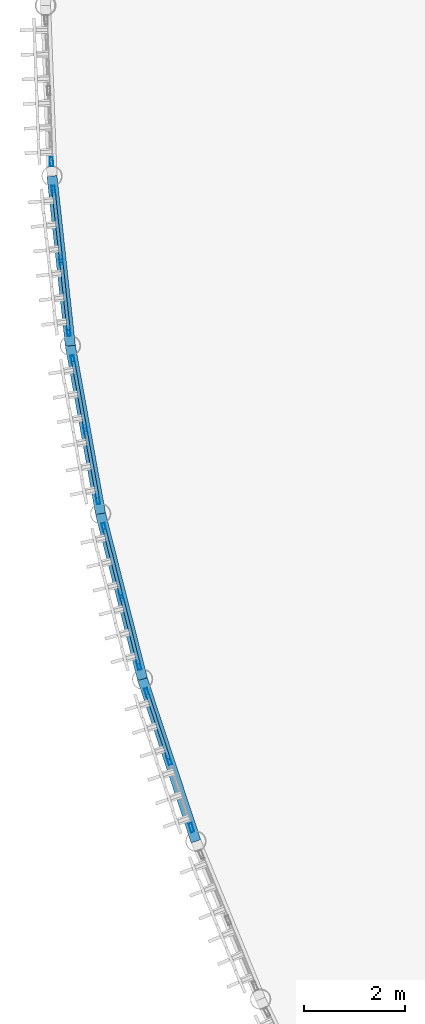
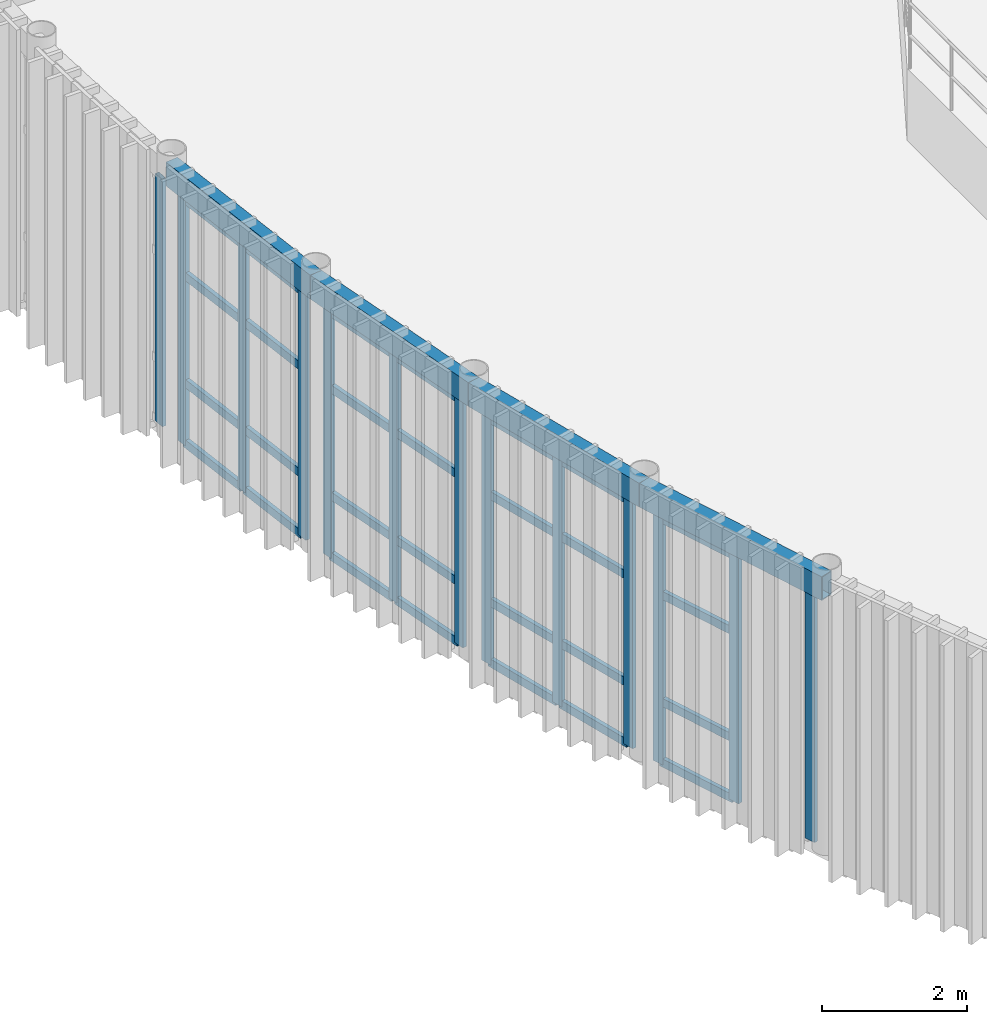
# One storey, part 34 of 105: 41 members, 4 beams, 5 elements without a shape of their own.
"""IFC4 building model written with IfcOpenShell, lengths in metres."""

import ifcopenshell
import ifcopenshell.guid

model = None  # the IFC model being written
_history = None  # IfcOwnerHistory: only IFC2X3 demands one
_inside = {}  # id of a spatial element -> (the spatial element, [elements in it])
_under = {}  # id of a project, library or spatial element -> (it, [spatial elements below it])
_declared = {}  # id of a project -> (the project, [libraries it declares])
_typed = {}  # id of a type object -> (the type object, [elements of that type])
_made_of = {}  # id of a material, layer set ... -> (it, [elements and type objects made of it])


def new_model(schema):
    """Start an empty IFC model of exactly this schema.

    Asked for "IFC4X3", IfcOpenShell would pick the latest addendum, in which some entities
    have other attributes; the version numbers below select the first issue.
    IFC2X3 requires an IfcOwnerHistory on every rooted entity: one is made here for all.
    """
    global model, _history
    if schema == "IFC4X3":
        model = ifcopenshell.file(schema_version=(4, 3, 0, 0))
    else:
        model = ifcopenshell.file(schema=schema)
    _inside.clear()
    _under.clear()
    _declared.clear()
    _typed.clear()
    _made_of.clear()
    _history = None
    if model.schema == "IFC2X3":
        org = make("IfcOrganization", Name="unknown")
        user = make(
            "IfcPersonAndOrganization",
            ThePerson=make("IfcPerson", FamilyName="unknown"),
            TheOrganization=org,
        )
        app = make(
            "IfcApplication",
            ApplicationDeveloper=org,
            Version="unknown",
            ApplicationFullName="unknown",
            ApplicationIdentifier="unknown",
        )
        _history = make(
            "IfcOwnerHistory",
            OwningUser=user,
            OwningApplication=app,
            ChangeAction="ADDED",
            CreationDate=0,
        )
    return model


def make(cls, **values):
    """One entity of the class cls with the attributes given. An attribute that is None is left unset."""
    return model.create_entity(
        cls, **{name: value for name, value in values.items() if value is not None}
    )


def rooted(cls, **values):
    """An entity with a GlobalId (a new one), such as an element, a storey or a relation."""
    return make(cls, GlobalId=ifcopenshell.guid.new(), OwnerHistory=_history, **values)


def si_unit(unit_type, name, prefix=None):
    """IfcSIUnit, for example si_unit("LENGTHUNIT", "METRE", prefix="MILLI")."""
    return make("IfcSIUnit", UnitType=unit_type, Prefix=prefix, Name=name)


def assignment(units):
    """IfcUnitAssignment: the units of a project."""
    return None if units is None else make("IfcUnitAssignment", Units=units)


def point(xyz):
    """IfcCartesianPoint."""
    return None if xyz is None else make("IfcCartesianPoint", Coordinates=xyz)


def direction(xyz):
    """IfcDirection."""
    return None if xyz is None else make("IfcDirection", DirectionRatios=xyz)


def frame(location, z_axis=None, x_axis=None):
    """IfcAxis2Placement3D, a coordinate frame: its origin and axes. An axis left out is left unset."""
    return make(
        "IfcAxis2Placement3D",
        Location=point(location),
        Axis=direction(z_axis),
        RefDirection=direction(x_axis),
    )


def frame_2d(location, x_axis=None):
    """IfcAxis2Placement2D, a coordinate frame in the plane: its origin and x axis."""
    return make(
        "IfcAxis2Placement2D", Location=point(location), RefDirection=direction(x_axis)
    )


def origin():
    """The frame at (0, 0, 0) with its axes left unset."""
    return frame((0.0, 0.0, 0.0))


def origin_2d():
    """The frame at (0, 0) in the plane with its x axis left unset."""
    return frame_2d((0.0, 0.0))


def place(relative_to, where):
    """IfcLocalPlacement: puts the frame where relative to a parent placement (None: the world)."""
    return make(
        "IfcLocalPlacement", PlacementRelTo=relative_to, RelativePlacement=where
    )


def context(
    kind, dimensions, precision=None, world=None, true_north=None, identifier=None
):
    """IfcGeometricRepresentationContext, for example the 3D "Model" context."""
    return make(
        "IfcGeometricRepresentationContext",
        ContextIdentifier=identifier,
        ContextType=kind,
        CoordinateSpaceDimension=dimensions,
        Precision=precision,
        WorldCoordinateSystem=world,
        TrueNorth=true_north,
    )


def subcontext(parent, identifier, kind, view, scale=None):
    """IfcGeometricRepresentationSubContext, for example "Body" below "Model"."""
    return make(
        "IfcGeometricRepresentationSubContext",
        ContextIdentifier=identifier,
        ContextType=kind,
        ParentContext=parent,
        TargetScale=scale,
        TargetView=view,
    )


def project(units=None, contexts=None):
    """IfcProject with its units and contexts."""
    return rooted(
        "IfcProject",
        Name="project",
        RepresentationContexts=contexts,
        UnitsInContext=assignment(units),
    )


def spatial(cls, under=None, at=None, **own):
    """A site, building, storey or space (cls), placed at a placement, below another one or the project."""
    s = rooted(cls, ObjectPlacement=at, **own)
    if under is not None:
        _under.setdefault(under.id(), (under, []))[1].append(s)
    return s


def profile(cls, at=None, kind="AREA", **sizes):
    """A parametric profile (cls). Its sizes go by their IFC names, for example OverallWidth=200.0."""
    return make(cls, ProfileType=kind, Position=at, **sizes)


def hollow_rectangle(**sizes):
    """IfcRectangleHollowProfileDef."""
    return profile("IfcRectangleHollowProfileDef", **sizes)


def extrude(swept, where, along, depth):
    """IfcExtrudedAreaSolid: the profile swept, set in the frame where, extruded along a direction by depth."""
    return make(
        "IfcExtrudedAreaSolid",
        SweptArea=swept,
        Position=where,
        ExtrudedDirection=direction(along),
        Depth=depth,
    )


def shape(context_of_items, identifier, shape_type, items):
    """IfcShapeRepresentation: the items that make up one representation, for example the "Body"."""
    return make(
        "IfcShapeRepresentation",
        ContextOfItems=context_of_items,
        RepresentationIdentifier=identifier,
        RepresentationType=shape_type,
        Items=items,
    )


def material(Name=None, Category=None):
    """IfcMaterial."""
    return make("IfcMaterial", Name=Name, Category=Category)


def layer(
    of_material, thickness, ventilated=None, Name=None, Category=None, Priority=None
):
    """IfcMaterialLayer: one layer of a wall or slab, of a material (None: an air gap)."""
    return make(
        "IfcMaterialLayer",
        Material=of_material,
        LayerThickness=thickness,
        IsVentilated=ventilated,
        Name=Name,
        Category=Category,
        Priority=Priority,
    )


def layer_set(layers, Name=None):
    """IfcMaterialLayerSet."""
    return make("IfcMaterialLayerSet", MaterialLayers=layers, LayerSetName=Name)


def material_profile(
    of_material, cross_section, Name=None, Category=None, Priority=None
):
    """IfcMaterialProfile: a cross section and its material."""
    return make(
        "IfcMaterialProfile",
        Name=Name,
        Material=of_material,
        Profile=cross_section,
        Priority=Priority,
        Category=Category,
    )


def profile_set(profiles, Name=None, composite=None):
    """IfcMaterialProfileSet."""
    return make(
        "IfcMaterialProfileSet",
        Name=Name,
        MaterialProfiles=profiles,
        CompositeProfile=composite,
    )


def made_of(thing, what):
    """Note that an element or type object is made of a material, layer set ...; save() writes the relation."""
    if what is not None:
        _made_of.setdefault(what.id(), (what, []))[1].append(thing)
    return thing


def type_object(cls, material=None, **own):
    """A type object (cls), such as IfcWallType, which elements share."""
    return made_of(rooted(cls, **own), material)


def element(
    cls,
    number,
    at=None,
    inside=None,
    cuts=None,
    type_object=None,
    material=None,
    context=None,
    identifier="Body",
    shape_type=None,
    held_by="IfcProductDefinitionShape",
    body=None,
    shapes=None,
    **own,
):
    """One element of the class cls, such as IfcWall. Its Tag is "e" and its number.

    at: its placement. inside: the storey or other place that contains it. cuts: it is an
    opening in that element (IfcRelVoidsElement). A single representation is given by context,
    identifier, shape_type and body (its items); several are given by shapes. held_by: the class
    of the entity that holds the representations. save() writes the other relations.
    """
    e = rooted(cls, Tag="e%d" % number, ObjectPlacement=at, **own)
    if body is not None:
        shapes = [shape(context, identifier, shape_type, body)]
    if shapes is not None:
        e.Representation = make(held_by, Representations=shapes)
    if inside is not None:
        _inside.setdefault(inside.id(), (inside, []))[1].append(e)
    if cuts is not None:
        rooted(
            "IfcRelVoidsElement", RelatingBuildingElement=cuts, RelatedOpeningElement=e
        )
    if type_object is not None:
        _typed.setdefault(type_object.id(), (type_object, []))[1].append(e)
    return made_of(e, material)


def aggregate(whole, parts):
    """IfcRelAggregates: a whole, such as a stair, and the parts it consists of."""
    return rooted("IfcRelAggregates", RelatingObject=whole, RelatedObjects=parts)


def save(model, path):
    """Write the relations noted so far, then the file.

    IfcRelAggregates (storeys below a building ...), IfcRelContainedInSpatialStructure (elements
    in a storey), IfcRelDefinesByType, IfcRelAssociatesMaterial and IfcRelDeclares: one each for
    every whole, place, type object, material and project.
    """
    for whole, parts in _under.values():
        aggregate(whole, parts)
    for where, things in _inside.values():
        rooted(
            "IfcRelContainedInSpatialStructure",
            RelatedElements=things,
            RelatingStructure=where,
        )
    for kind, things in _typed.values():
        rooted("IfcRelDefinesByType", RelatedObjects=things, RelatingType=kind)
    for what, things in _made_of.values():
        rooted("IfcRelAssociatesMaterial", RelatedObjects=things, RelatingMaterial=what)
    for by, libraries in _declared.values():
        rooted("IfcRelDeclares", RelatingContext=by, RelatedDefinitions=libraries)
    model.write(path)


model = new_model("IFC4")

# Units and contexts
model_context = context("Model", 3, precision=1e-05, world=origin(), true_north=direction((0.0, 1.0)))
body_context = subcontext(model_context, "Body", "Model", "MODEL_VIEW")
ifc_project = project(units=[si_unit("LENGTHUNIT", "METRE"), si_unit("AREAUNIT", "SQUARE_METRE"), si_unit("VOLUMEUNIT", "CUBIC_METRE"), si_unit("PLANEANGLEUNIT", "RADIAN"), si_unit("MASSUNIT", "GRAM", prefix="KILO")], contexts=[model_context])

# Site, building, storey
site_placement = place(None, origin())
site = spatial("IfcSite", under=ifc_project, at=site_placement, CompositionType="ELEMENT")
building_placement = place(site_placement, origin())
building = spatial("IfcBuilding", under=site, at=building_placement, Name="Selat Folded Stagehouse", CompositionType="ELEMENT")
storey_placement = place(building_placement, frame((0.0, 0.0, 10.199951171875)))
storey = spatial("IfcBuildingStorey", under=building, at=storey_placement, Name="L02", CompositionType="ELEMENT", Elevation=10.199951171875)

# Curtain wall, member
ifc_material_1 = material(Name="Aluminium 6063-T6", Category="aluminium")
ifc_layer = layer(ifc_material_1, 0.199951171875)
ifc_layer_set = layer_set([ifc_layer], Name="Aluminium 6063-T6")
curtain_wall_type = type_object("IfcCurtainWallType", Name="CW-DRM-MID", PredefinedType="NOTDEFINED", material=ifc_layer_set)
curtain_wall_1_placement = place(storey_placement, origin())
curtain_wall_1 = element("IfcCurtainWall", 1, at=curtain_wall_1_placement, inside=storey, type_object=curtain_wall_type, Name="L02 curtain wall CW-DRM-L02-02", PredefinedType="NOTDEFINED")
ifc_material_profile_1 = material_profile(ifc_material_1, hollow_rectangle(XDim=0.06494140625, YDim=0.179931640625, WallThickness=0.00390625, at=origin_2d()), Name="ALU 180x65x4.0")
ifc_profile_set_1 = profile_set([ifc_material_profile_1], Name="Aluminium 6063-T6")
member_type_1 = type_object("IfcMemberType", Name="CWM-MUL-180x65", PredefinedType="MULLION", material=ifc_profile_set_1)
member_1_placement = place(storey_placement, frame((0.115966796875, 44.79736328125, 0.0), z_axis=(0.0, 0.0, 1.0), x_axis=(-0.999293858167, -0.037573727908, 0.0)))
member_1 = element("IfcMember", 2, at=member_1_placement, type_object=member_type_1, Name="CW-02 mullion 1", PredefinedType="MULLION", context=body_context, shape_type="SweptSolid", body=[
    extrude(hollow_rectangle(XDim=0.06494140625, YDim=0.179931640625, WallThickness=0.00390625, at=origin_2d()), origin(), (0.0, 0.0, 1.0), 4.16015625),
])
aggregate(curtain_wall_1, [member_1])

# Curtain wall, members
curtain_wall_2_placement = place(storey_placement, origin())
curtain_wall_2 = element("IfcCurtainWall", 3, at=curtain_wall_2_placement, inside=storey, type_object=curtain_wall_type, Name="L02 curtain wall CW-DRM-L02-03", PredefinedType="NOTDEFINED")
member_2_placement = place(storey_placement, frame((0.458740234375, 41.4462890625, 0.0), z_axis=(0.0, 0.0, 1.0), x_axis=(-0.994198790497, -0.107558193428, 0.0)))
member_2 = element("IfcMember", 4, at=member_2_placement, type_object=member_type_1, Name="CW-02 mullion 1", PredefinedType="MULLION", context=body_context, shape_type="SweptSolid", body=[
    extrude(hollow_rectangle(XDim=0.06494140625, YDim=0.179931640625, WallThickness=0.00390625, at=origin_2d()), origin(), (0.0, 0.0, 1.0), 4.16015625),
])
member_3_placement = place(storey_placement, frame((0.307861328125, 42.84033203125, 0.0), z_axis=(0.0, 0.0, 1.0), x_axis=(-0.994198790497, -0.107558193428, 0.0)))
member_3 = element("IfcMember", 5, at=member_3_placement, type_object=member_type_1, Name="CW-02 mullion 2", PredefinedType="MULLION", context=body_context, shape_type="SweptSolid", body=[
    extrude(hollow_rectangle(XDim=0.06494140625, YDim=0.179931640625, WallThickness=0.00390625, at=origin_2d()), origin(), (0.0, 0.0, 1.0), 4.16015625),
])
member_4_placement = place(storey_placement, frame((0.156982421875, 44.234130859375, 0.0), z_axis=(0.0, 0.0, 1.0), x_axis=(-0.994198790497, -0.107558193428, 0.0)))
member_4 = element("IfcMember", 6, at=member_4_placement, type_object=member_type_1, Name="CW-02 mullion 3", PredefinedType="MULLION", context=body_context, shape_type="SweptSolid", body=[
    extrude(hollow_rectangle(XDim=0.06494140625, YDim=0.179931640625, WallThickness=0.00390625, at=origin_2d()), origin(), (0.0, 0.0, 1.0), 4.16015625),
])

curtain_wall_3_placement = place(storey_placement, origin())
curtain_wall_3 = element("IfcCurtainWall", 7, at=curtain_wall_3_placement, inside=storey, type_object=curtain_wall_type, Name="L02 curtain wall CW-DRM-L02-04", PredefinedType="NOTDEFINED")
member_5_placement = place(storey_placement, frame((1.035400390625, 38.127685546875, 0.0), z_axis=(0.0, 0.0, 1.0), x_axis=(-0.984210538572, -0.177001739435, 0.0)))
member_5 = element("IfcMember", 8, at=member_5_placement, type_object=member_type_1, Name="CW-02 mullion 1", PredefinedType="MULLION", context=body_context, shape_type="SweptSolid", body=[
    extrude(hollow_rectangle(XDim=0.06494140625, YDim=0.179931640625, WallThickness=0.00390625, at=origin_2d()), origin(), (0.0, 0.0, 1.0), 4.16015625),
])
member_6_placement = place(storey_placement, frame((0.787353515625, 39.507568359375, 0.0), z_axis=(0.0, 0.0, 1.0), x_axis=(-0.984210538572, -0.177001739435, 0.0)))
member_6 = element("IfcMember", 9, at=member_6_placement, type_object=member_type_1, Name="CW-02 mullion 2", PredefinedType="MULLION", context=body_context, shape_type="SweptSolid", body=[
    extrude(hollow_rectangle(XDim=0.06494140625, YDim=0.179931640625, WallThickness=0.00390625, at=origin_2d()), origin(), (0.0, 0.0, 1.0), 4.16015625),
])
member_7_placement = place(storey_placement, frame((0.5390625, 40.887451171875, 0.0), z_axis=(0.0, 0.0, 1.0), x_axis=(-0.984210538572, -0.177001739435, 0.0)))
member_7 = element("IfcMember", 10, at=member_7_placement, type_object=member_type_1, Name="CW-02 mullion 3", PredefinedType="MULLION", context=body_context, shape_type="SweptSolid", body=[
    extrude(hollow_rectangle(XDim=0.06494140625, YDim=0.179931640625, WallThickness=0.00390625, at=origin_2d()), origin(), (0.0, 0.0, 1.0), 4.16015625),
])

curtain_wall_4_placement = place(storey_placement, origin())
curtain_wall_4 = element("IfcCurtainWall", 11, at=curtain_wall_4_placement, inside=storey, type_object=curtain_wall_type, Name="L02 curtain wall CW-DRM-L02-05", PredefinedType="NOTDEFINED")
member_8_placement = place(storey_placement, frame((1.843505859375, 34.857666015625, 0.0), z_axis=(0.0, 0.0, 1.0), x_axis=(-0.969366705351, -0.24561797686, 0.0)))
member_8 = element("IfcMember", 12, at=member_8_placement, type_object=member_type_1, Name="CW-02 mullion 1", PredefinedType="MULLION", context=body_context, shape_type="SweptSolid", body=[
    extrude(hollow_rectangle(XDim=0.06494140625, YDim=0.179931640625, WallThickness=0.00390625, at=origin_2d()), origin(), (0.0, 0.0, 1.0), 4.16015625),
])
member_9_placement = place(storey_placement, frame((1.499267578125, 36.216796875, 0.0), z_axis=(0.0, 0.0, 1.0), x_axis=(-0.969366705351, -0.24561797686, 0.0)))
member_9 = element("IfcMember", 13, at=member_9_placement, type_object=member_type_1, Name="CW-02 mullion 2", PredefinedType="MULLION", context=body_context, shape_type="SweptSolid", body=[
    extrude(hollow_rectangle(XDim=0.06494140625, YDim=0.179931640625, WallThickness=0.00390625, at=origin_2d()), origin(), (0.0, 0.0, 1.0), 4.16015625),
])
member_10_placement = place(storey_placement, frame((1.15478515625, 37.575927734375, 0.0), z_axis=(0.0, 0.0, 1.0), x_axis=(-0.969366705351, -0.24561797686, 0.0)))
member_10 = element("IfcMember", 14, at=member_10_placement, type_object=member_type_1, Name="CW-02 mullion 3", PredefinedType="MULLION", context=body_context, shape_type="SweptSolid", body=[
    extrude(hollow_rectangle(XDim=0.06494140625, YDim=0.179931640625, WallThickness=0.00390625, at=origin_2d()), origin(), (0.0, 0.0, 1.0), 4.16015625),
])

curtain_wall_5_placement = place(storey_placement, origin())
curtain_wall_5 = element("IfcCurtainWall", 15, at=curtain_wall_5_placement, inside=storey, type_object=curtain_wall_type, Name="L02 curtain wall CW-DRM-L02-06", PredefinedType="NOTDEFINED")
member_11_placement = place(storey_placement, frame((2.879150390625, 31.652587890625, 0.0), z_axis=(0.0, 0.0, 1.0), x_axis=(-0.949754805107, -0.312994904395, 0.0)))
member_11 = element("IfcMember", 16, at=member_11_placement, type_object=member_type_1, Name="CW-02 mullion 1", PredefinedType="MULLION", context=body_context, shape_type="SweptSolid", body=[
    extrude(hollow_rectangle(XDim=0.06494140625, YDim=0.179931640625, WallThickness=0.00390625, at=origin_2d()), origin(), (0.0, 0.0, 1.0), 4.16015625),
])
member_12_placement = place(storey_placement, frame((2.440185546875, 32.984130859375, 0.0), z_axis=(0.0, 0.0, 1.0), x_axis=(-0.949754805107, -0.312994904395, 0.0)))
member_12 = element("IfcMember", 17, at=member_12_placement, type_object=member_type_1, Name="CW-02 mullion 2", PredefinedType="MULLION", context=body_context, shape_type="SweptSolid", body=[
    extrude(hollow_rectangle(XDim=0.06494140625, YDim=0.179931640625, WallThickness=0.00390625, at=origin_2d()), origin(), (0.0, 0.0, 1.0), 4.16015625),
])
member_13_placement = place(storey_placement, frame((2.00146484375, 34.315673828125, 0.0), z_axis=(0.0, 0.0, 1.0), x_axis=(-0.949754805107, -0.312994904395, 0.0)))
member_13 = element("IfcMember", 18, at=member_13_placement, type_object=member_type_1, Name="CW-02 mullion 3", PredefinedType="MULLION", context=body_context, shape_type="SweptSolid", body=[
    extrude(hollow_rectangle(XDim=0.06494140625, YDim=0.179931640625, WallThickness=0.00390625, at=origin_2d()), origin(), (0.0, 0.0, 1.0), 4.16015625),
])

# Member
ifc_material_profile_2 = material_profile(ifc_material_1, hollow_rectangle(XDim=0.06494140625, YDim=0.139892578125, WallThickness=0.00390625, at=origin_2d()), Name="ALU 140x65x4.0")
ifc_profile_set_2 = profile_set([ifc_material_profile_2], Name="Aluminium 6063-T6")
member_type_2 = type_object("IfcMemberType", Name="CWM-TRN-140x65", PredefinedType="USERDEFINED", material=ifc_profile_set_2)
member_14_placement = place(storey_placement, frame((0.455322265625, 41.478515625, 0.032470703125), z_axis=(-0.107725727154, 0.994180651446, 0.0), x_axis=(-0.994180651446, -0.107725727154, 0.0)))
member_14 = element("IfcMember", 19, at=member_14_placement, type_object=member_type_2, Name="CW-02 transom 1.1", ObjectType="TRANSOM", PredefinedType="USERDEFINED", context=body_context, shape_type="SweptSolid", body=[
    extrude(hollow_rectangle(XDim=0.06494140625, YDim=0.139892578125, WallThickness=0.00390625, at=origin_2d()), origin(), (0.0, 0.0, 1.0), 1.337158203125),
])

member_15_placement = place(storey_placement, frame((0.455322265625, 41.478515625, 1.050048828125), z_axis=(-0.107725727154, 0.994180651446, 0.0), x_axis=(-0.994180651446, -0.107725727154, 0.0)))
member_15 = element("IfcMember", 20, at=member_15_placement, type_object=member_type_2, Name="CW-02 transom 1.2", ObjectType="TRANSOM", PredefinedType="USERDEFINED", context=body_context, shape_type="SweptSolid", body=[
    extrude(hollow_rectangle(XDim=0.06494140625, YDim=0.139892578125, WallThickness=0.00390625, at=origin_2d()), origin(), (0.0, 0.0, 1.0), 1.337158203125),
])

member_16_placement = place(storey_placement, frame((0.455322265625, 41.478515625, 2.85009765625), z_axis=(-0.107725727154, 0.994180651446, 0.0), x_axis=(-0.994180651446, -0.107725727154, 0.0)))
member_16 = element("IfcMember", 21, at=member_16_placement, type_object=member_type_2, Name="CW-02 transom 1.3", ObjectType="TRANSOM", PredefinedType="USERDEFINED", context=body_context, shape_type="SweptSolid", body=[
    extrude(hollow_rectangle(XDim=0.06494140625, YDim=0.139892578125, WallThickness=0.00390625, at=origin_2d()), origin(), (0.0, 0.0, 1.0), 1.337158203125),
])

member_17_placement = place(storey_placement, frame((0.455322265625, 41.478515625, 4.12744140625), z_axis=(-0.107725727154, 0.994180651446, 0.0), x_axis=(-0.994180651446, -0.107725727154, 0.0)))
member_17 = element("IfcMember", 22, at=member_17_placement, type_object=member_type_2, Name="CW-02 transom 1.4", ObjectType="TRANSOM", PredefinedType="USERDEFINED", context=body_context, shape_type="SweptSolid", body=[
    extrude(hollow_rectangle(XDim=0.06494140625, YDim=0.139892578125, WallThickness=0.00390625, at=origin_2d()), origin(), (0.0, 0.0, 1.0), 1.337158203125),
])

member_18_placement = place(storey_placement, frame((0.304443359375, 42.87255859375, 0.032470703125), z_axis=(-0.107545254734, 0.994200190195, 0.0), x_axis=(-0.994200190195, -0.107545254734, 0.0)))
member_18 = element("IfcMember", 23, at=member_18_placement, type_object=member_type_2, Name="CW-02 transom 2.1", ObjectType="TRANSOM", PredefinedType="USERDEFINED", context=body_context, shape_type="SweptSolid", body=[
    extrude(hollow_rectangle(XDim=0.06494140625, YDim=0.139892578125, WallThickness=0.00390625, at=origin_2d()), origin(), (0.0, 0.0, 1.0), 1.337158203125),
])

member_19_placement = place(storey_placement, frame((0.304443359375, 42.87255859375, 1.050048828125), z_axis=(-0.107545254734, 0.994200190195, 0.0), x_axis=(-0.994200190195, -0.107545254734, 0.0)))
member_19 = element("IfcMember", 24, at=member_19_placement, type_object=member_type_2, Name="CW-02 transom 2.2", ObjectType="TRANSOM", PredefinedType="USERDEFINED", context=body_context, shape_type="SweptSolid", body=[
    extrude(hollow_rectangle(XDim=0.06494140625, YDim=0.139892578125, WallThickness=0.00390625, at=origin_2d()), origin(), (0.0, 0.0, 1.0), 1.337158203125),
])

member_20_placement = place(storey_placement, frame((0.304443359375, 42.87255859375, 2.85009765625), z_axis=(-0.107545254734, 0.994200190195, 0.0), x_axis=(-0.994200190195, -0.107545254734, 0.0)))
member_20 = element("IfcMember", 25, at=member_20_placement, type_object=member_type_2, Name="CW-02 transom 2.3", ObjectType="TRANSOM", PredefinedType="USERDEFINED", context=body_context, shape_type="SweptSolid", body=[
    extrude(hollow_rectangle(XDim=0.06494140625, YDim=0.139892578125, WallThickness=0.00390625, at=origin_2d()), origin(), (0.0, 0.0, 1.0), 1.337158203125),
])

member_21_placement = place(storey_placement, frame((0.304443359375, 42.87255859375, 4.12744140625), z_axis=(-0.107545254734, 0.994200190195, 0.0), x_axis=(-0.994200190195, -0.107545254734, 0.0)))
member_21 = element("IfcMember", 26, at=member_21_placement, type_object=member_type_2, Name="CW-02 transom 2.4", ObjectType="TRANSOM", PredefinedType="USERDEFINED", context=body_context, shape_type="SweptSolid", body=[
    extrude(hollow_rectangle(XDim=0.06494140625, YDim=0.139892578125, WallThickness=0.00390625, at=origin_2d()), origin(), (0.0, 0.0, 1.0), 1.337158203125),
])

aggregate(curtain_wall_2, [member_2, member_3, member_4, member_14, member_15, member_16, member_17, member_18, member_19, member_20, member_21])

member_22_placement = place(storey_placement, frame((1.02978515625, 38.15966796875, 0.032470703125), z_axis=(-0.177117625188, 0.98418969048, 0.0), x_axis=(-0.98418969048, -0.177117625188, 0.0)))
member_22 = element("IfcMember", 27, at=member_22_placement, type_object=member_type_2, Name="CW-02 transom 1.1", ObjectType="TRANSOM", PredefinedType="USERDEFINED", context=body_context, shape_type="SweptSolid", body=[
    extrude(hollow_rectangle(XDim=0.06494140625, YDim=0.139892578125, WallThickness=0.00390625, at=origin_2d()), origin(), (0.0, 0.0, 1.0), 1.337158203125),
])

member_23_placement = place(storey_placement, frame((1.02978515625, 38.15966796875, 1.050048828125), z_axis=(-0.177117625188, 0.98418969048, 0.0), x_axis=(-0.98418969048, -0.177117625188, 0.0)))
member_23 = element("IfcMember", 28, at=member_23_placement, type_object=member_type_2, Name="CW-02 transom 1.2", ObjectType="TRANSOM", PredefinedType="USERDEFINED", context=body_context, shape_type="SweptSolid", body=[
    extrude(hollow_rectangle(XDim=0.06494140625, YDim=0.139892578125, WallThickness=0.00390625, at=origin_2d()), origin(), (0.0, 0.0, 1.0), 1.337158203125),
])

member_24_placement = place(storey_placement, frame((1.02978515625, 38.15966796875, 2.85009765625), z_axis=(-0.177117625188, 0.98418969048, 0.0), x_axis=(-0.98418969048, -0.177117625188, 0.0)))
member_24 = element("IfcMember", 29, at=member_24_placement, type_object=member_type_2, Name="CW-02 transom 1.3", ObjectType="TRANSOM", PredefinedType="USERDEFINED", context=body_context, shape_type="SweptSolid", body=[
    extrude(hollow_rectangle(XDim=0.06494140625, YDim=0.139892578125, WallThickness=0.00390625, at=origin_2d()), origin(), (0.0, 0.0, 1.0), 1.337158203125),
])

member_25_placement = place(storey_placement, frame((1.02978515625, 38.15966796875, 4.12744140625), z_axis=(-0.177117625188, 0.98418969048, 0.0), x_axis=(-0.98418969048, -0.177117625188, 0.0)))
member_25 = element("IfcMember", 30, at=member_25_placement, type_object=member_type_2, Name="CW-02 transom 1.4", ObjectType="TRANSOM", PredefinedType="USERDEFINED", context=body_context, shape_type="SweptSolid", body=[
    extrude(hollow_rectangle(XDim=0.06494140625, YDim=0.139892578125, WallThickness=0.00390625, at=origin_2d()), origin(), (0.0, 0.0, 1.0), 1.337158203125),
])

member_26_placement = place(storey_placement, frame((0.781494140625, 39.53955078125, 0.032470703125), z_axis=(-0.176940749261, 0.984221505176, 0.0), x_axis=(-0.984221505176, -0.176940749261, 0.0)))
member_26 = element("IfcMember", 31, at=member_26_placement, type_object=member_type_2, Name="CW-02 transom 2.1", ObjectType="TRANSOM", PredefinedType="USERDEFINED", context=body_context, shape_type="SweptSolid", body=[
    extrude(hollow_rectangle(XDim=0.06494140625, YDim=0.139892578125, WallThickness=0.00390625, at=origin_2d()), origin(), (0.0, 0.0, 1.0), 1.3369140625),
])

member_27_placement = place(storey_placement, frame((0.781494140625, 39.53955078125, 1.050048828125), z_axis=(-0.176940749261, 0.984221505176, 0.0), x_axis=(-0.984221505176, -0.176940749261, 0.0)))
member_27 = element("IfcMember", 32, at=member_27_placement, type_object=member_type_2, Name="CW-02 transom 2.2", ObjectType="TRANSOM", PredefinedType="USERDEFINED", context=body_context, shape_type="SweptSolid", body=[
    extrude(hollow_rectangle(XDim=0.06494140625, YDim=0.139892578125, WallThickness=0.00390625, at=origin_2d()), origin(), (0.0, 0.0, 1.0), 1.3369140625),
])

member_28_placement = place(storey_placement, frame((0.781494140625, 39.53955078125, 2.85009765625), z_axis=(-0.176940749261, 0.984221505176, 0.0), x_axis=(-0.984221505176, -0.176940749261, 0.0)))
member_28 = element("IfcMember", 33, at=member_28_placement, type_object=member_type_2, Name="CW-02 transom 2.3", ObjectType="TRANSOM", PredefinedType="USERDEFINED", context=body_context, shape_type="SweptSolid", body=[
    extrude(hollow_rectangle(XDim=0.06494140625, YDim=0.139892578125, WallThickness=0.00390625, at=origin_2d()), origin(), (0.0, 0.0, 1.0), 1.3369140625),
])

member_29_placement = place(storey_placement, frame((0.781494140625, 39.53955078125, 4.12744140625), z_axis=(-0.176940749261, 0.984221505176, 0.0), x_axis=(-0.984221505176, -0.176940749261, 0.0)))
member_29 = element("IfcMember", 34, at=member_29_placement, type_object=member_type_2, Name="CW-02 transom 2.4", ObjectType="TRANSOM", PredefinedType="USERDEFINED", context=body_context, shape_type="SweptSolid", body=[
    extrude(hollow_rectangle(XDim=0.06494140625, YDim=0.139892578125, WallThickness=0.00390625, at=origin_2d()), origin(), (0.0, 0.0, 1.0), 1.3369140625),
])

aggregate(curtain_wall_3, [member_5, member_6, member_7, member_22, member_23, member_24, member_25, member_26, member_27, member_28, member_29])

member_30_placement = place(storey_placement, frame((1.835693359375, 34.88916015625, 0.032470703125), z_axis=(-0.245584768356, 0.969375119111, 0.0), x_axis=(-0.969375119111, -0.245584768356, 0.0)))
member_30 = element("IfcMember", 35, at=member_30_placement, type_object=member_type_2, Name="CW-02 transom 1.1", ObjectType="TRANSOM", PredefinedType="USERDEFINED", context=body_context, shape_type="SweptSolid", body=[
    extrude(hollow_rectangle(XDim=0.06494140625, YDim=0.139892578125, WallThickness=0.00390625, at=origin_2d()), origin(), (0.0, 0.0, 1.0), 1.337158203125),
])

member_31_placement = place(storey_placement, frame((1.835693359375, 34.88916015625, 1.050048828125), z_axis=(-0.245584768356, 0.969375119111, 0.0), x_axis=(-0.969375119111, -0.245584768356, 0.0)))
member_31 = element("IfcMember", 36, at=member_31_placement, type_object=member_type_2, Name="CW-02 transom 1.2", ObjectType="TRANSOM", PredefinedType="USERDEFINED", context=body_context, shape_type="SweptSolid", body=[
    extrude(hollow_rectangle(XDim=0.06494140625, YDim=0.139892578125, WallThickness=0.00390625, at=origin_2d()), origin(), (0.0, 0.0, 1.0), 1.337158203125),
])

member_32_placement = place(storey_placement, frame((1.835693359375, 34.88916015625, 2.85009765625), z_axis=(-0.245584768356, 0.969375119111, 0.0), x_axis=(-0.969375119111, -0.245584768356, 0.0)))
member_32 = element("IfcMember", 37, at=member_32_placement, type_object=member_type_2, Name="CW-02 transom 1.3", ObjectType="TRANSOM", PredefinedType="USERDEFINED", context=body_context, shape_type="SweptSolid", body=[
    extrude(hollow_rectangle(XDim=0.06494140625, YDim=0.139892578125, WallThickness=0.00390625, at=origin_2d()), origin(), (0.0, 0.0, 1.0), 1.337158203125),
])

member_33_placement = place(storey_placement, frame((1.835693359375, 34.88916015625, 4.12744140625), z_axis=(-0.245584768356, 0.969375119111, 0.0), x_axis=(-0.969375119111, -0.245584768356, 0.0)))
member_33 = element("IfcMember", 38, at=member_33_placement, type_object=member_type_2, Name="CW-02 transom 1.4", ObjectType="TRANSOM", PredefinedType="USERDEFINED", context=body_context, shape_type="SweptSolid", body=[
    extrude(hollow_rectangle(XDim=0.06494140625, YDim=0.139892578125, WallThickness=0.00390625, at=origin_2d()), origin(), (0.0, 0.0, 1.0), 1.337158203125),
])

member_34_placement = place(storey_placement, frame((1.4912109375, 36.248291015625, 0.032470703125), z_axis=(-0.245584768356, 0.969375119111, 0.0), x_axis=(-0.969375119111, -0.245584768356, 0.0)))
member_34 = element("IfcMember", 39, at=member_34_placement, type_object=member_type_2, Name="CW-02 transom 2.1", ObjectType="TRANSOM", PredefinedType="USERDEFINED", context=body_context, shape_type="SweptSolid", body=[
    extrude(hollow_rectangle(XDim=0.06494140625, YDim=0.139892578125, WallThickness=0.00390625, at=origin_2d()), origin(), (0.0, 0.0, 1.0), 1.337158203125),
])

member_35_placement = place(storey_placement, frame((1.4912109375, 36.248291015625, 1.050048828125), z_axis=(-0.245584768356, 0.969375119111, 0.0), x_axis=(-0.969375119111, -0.245584768356, 0.0)))
member_35 = element("IfcMember", 40, at=member_35_placement, type_object=member_type_2, Name="CW-02 transom 2.2", ObjectType="TRANSOM", PredefinedType="USERDEFINED", context=body_context, shape_type="SweptSolid", body=[
    extrude(hollow_rectangle(XDim=0.06494140625, YDim=0.139892578125, WallThickness=0.00390625, at=origin_2d()), origin(), (0.0, 0.0, 1.0), 1.337158203125),
])

member_36_placement = place(storey_placement, frame((1.4912109375, 36.248291015625, 2.85009765625), z_axis=(-0.245584768356, 0.969375119111, 0.0), x_axis=(-0.969375119111, -0.245584768356, 0.0)))
member_36 = element("IfcMember", 41, at=member_36_placement, type_object=member_type_2, Name="CW-02 transom 2.3", ObjectType="TRANSOM", PredefinedType="USERDEFINED", context=body_context, shape_type="SweptSolid", body=[
    extrude(hollow_rectangle(XDim=0.06494140625, YDim=0.139892578125, WallThickness=0.00390625, at=origin_2d()), origin(), (0.0, 0.0, 1.0), 1.337158203125),
])

member_37_placement = place(storey_placement, frame((1.4912109375, 36.248291015625, 4.12744140625), z_axis=(-0.245584768356, 0.969375119111, 0.0), x_axis=(-0.969375119111, -0.245584768356, 0.0)))
member_37 = element("IfcMember", 42, at=member_37_placement, type_object=member_type_2, Name="CW-02 transom 2.4", ObjectType="TRANSOM", PredefinedType="USERDEFINED", context=body_context, shape_type="SweptSolid", body=[
    extrude(hollow_rectangle(XDim=0.06494140625, YDim=0.139892578125, WallThickness=0.00390625, at=origin_2d()), origin(), (0.0, 0.0, 1.0), 1.337158203125),
])

aggregate(curtain_wall_4, [member_8, member_9, member_10, member_30, member_31, member_32, member_33, member_34, member_35, member_36, member_37])

member_38_placement = place(storey_placement, frame((2.43017578125, 33.014892578125, 0.032470703125), z_axis=(-0.312993731662, 0.949755191584, 0.0), x_axis=(-0.949755191584, -0.312993731662, 0.0)))
member_38 = element("IfcMember", 43, at=member_38_placement, type_object=member_type_2, Name="CW-02 transom 2.1", ObjectType="TRANSOM", PredefinedType="USERDEFINED", context=body_context, shape_type="SweptSolid", body=[
    extrude(hollow_rectangle(XDim=0.06494140625, YDim=0.139892578125, WallThickness=0.00390625, at=origin_2d()), origin(), (0.0, 0.0, 1.0), 1.3369140625),
])

member_39_placement = place(storey_placement, frame((2.43017578125, 33.014892578125, 1.050048828125), z_axis=(-0.312993731662, 0.949755191584, 0.0), x_axis=(-0.949755191584, -0.312993731662, 0.0)))
member_39 = element("IfcMember", 44, at=member_39_placement, type_object=member_type_2, Name="CW-02 transom 2.2", ObjectType="TRANSOM", PredefinedType="USERDEFINED", context=body_context, shape_type="SweptSolid", body=[
    extrude(hollow_rectangle(XDim=0.06494140625, YDim=0.139892578125, WallThickness=0.00390625, at=origin_2d()), origin(), (0.0, 0.0, 1.0), 1.3369140625),
])

member_40_placement = place(storey_placement, frame((2.43017578125, 33.014892578125, 2.85009765625), z_axis=(-0.312993731662, 0.949755191584, 0.0), x_axis=(-0.949755191584, -0.312993731662, 0.0)))
member_40 = element("IfcMember", 45, at=member_40_placement, type_object=member_type_2, Name="CW-02 transom 2.3", ObjectType="TRANSOM", PredefinedType="USERDEFINED", context=body_context, shape_type="SweptSolid", body=[
    extrude(hollow_rectangle(XDim=0.06494140625, YDim=0.139892578125, WallThickness=0.00390625, at=origin_2d()), origin(), (0.0, 0.0, 1.0), 1.3369140625),
])

member_41_placement = place(storey_placement, frame((2.43017578125, 33.014892578125, 4.12744140625), z_axis=(-0.312993731662, 0.949755191584, 0.0), x_axis=(-0.949755191584, -0.312993731662, 0.0)))
member_41 = element("IfcMember", 46, at=member_41_placement, type_object=member_type_2, Name="CW-02 transom 2.4", ObjectType="TRANSOM", PredefinedType="USERDEFINED", context=body_context, shape_type="SweptSolid", body=[
    extrude(hollow_rectangle(XDim=0.06494140625, YDim=0.139892578125, WallThickness=0.00390625, at=origin_2d()), origin(), (0.0, 0.0, 1.0), 1.3369140625),
])

aggregate(curtain_wall_5, [member_11, member_12, member_13, member_38, member_39, member_40, member_41])

# Beams
ifc_material_2 = material(Name="Steel S355", Category="steel")
ifc_material_profile_3 = material_profile(ifc_material_2, hollow_rectangle(XDim=0.199951171875, YDim=0.39990234375, WallThickness=0.012451171875, at=origin_2d()), Name="RHS 400x200x12.5")
ifc_profile_set_3 = profile_set([ifc_material_profile_3], Name="Steel S355")
beam_type = type_object("IfcBeamType", Name="SPD-EXT-400x200", PredefinedType="SPANDREL", material=ifc_profile_set_3)
beam_1_placement = place(storey_placement, frame((0.126708984375, 44.514892578125, 4.400146484375), z_axis=(0.107543794494, -0.994200348152, 0.0), x_axis=(0.994200348152, 0.107543794494, 0.0)))
element("IfcBeam", 47, at=beam_1_placement, inside=storey, type_object=beam_type, Name="L02 curved drum spandrel beam 4", PredefinedType="SPANDREL", context=body_context, shape_type="SweptSolid", body=[
    extrude(hollow_rectangle(XDim=0.199951171875, YDim=0.39990234375, WallThickness=0.012451171875, at=origin_2d()), origin(), (0.0, 0.0, 1.0), 3.368896484375),
])
beam_2_placement = place(storey_placement, frame((0.489013671875, 41.16552734375, 4.400146484375), z_axis=(0.177029462848, -0.984205552354, 0.0), x_axis=(0.984205552354, 0.177029462848, 0.0)))
element("IfcBeam", 48, at=beam_2_placement, inside=storey, type_object=beam_type, Name="L02 curved drum spandrel beam 5", PredefinedType="SPANDREL", context=body_context, shape_type="SweptSolid", body=[
    extrude(hollow_rectangle(XDim=0.199951171875, YDim=0.39990234375, WallThickness=0.012451171875, at=origin_2d()), origin(), (0.0, 0.0, 1.0), 3.369140625),
])
for number, where, z_axis, x_axis, name in (
    (49, (1.08544921875, 37.849609375, 4.400146484375), (0.245671863024, -0.96935305009, 0.0), (0.96935305009, 0.245671863024, 0.0), "L02 curved drum spandrel beam 6"),
    (50, (1.9130859375, 34.583984375, 4.400146484375), (0.312986630522, -0.949757531749, 0.0), (0.949757531749, 0.312986630522, 0.0), "L02 curved drum spandrel beam 7"),
):
    element("IfcBeam", number, at=place(storey_placement, frame(where, z_axis=z_axis, x_axis=x_axis)), inside=storey, type_object=beam_type, Name=name, PredefinedType="SPANDREL", context=body_context, shape_type="SweptSolid", body=[
        extrude(hollow_rectangle(XDim=0.199951171875, YDim=0.39990234375, WallThickness=0.012451171875, at=origin_2d()), origin(), (0.0, 0.0, 1.0), 3.368896484375),
    ])

save(model, "model.ifc")
